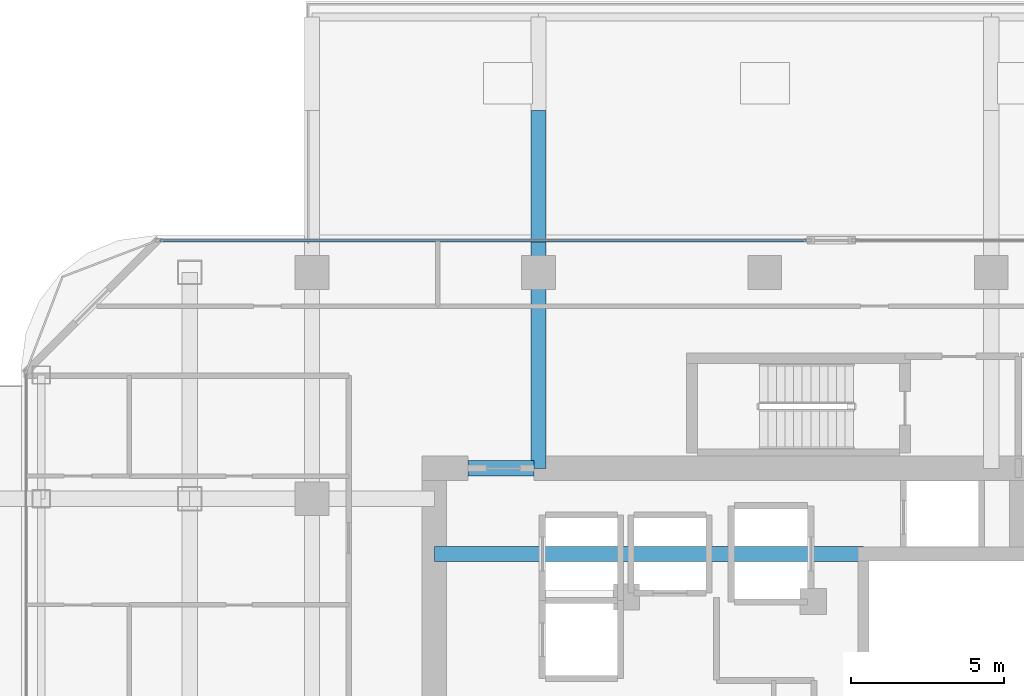
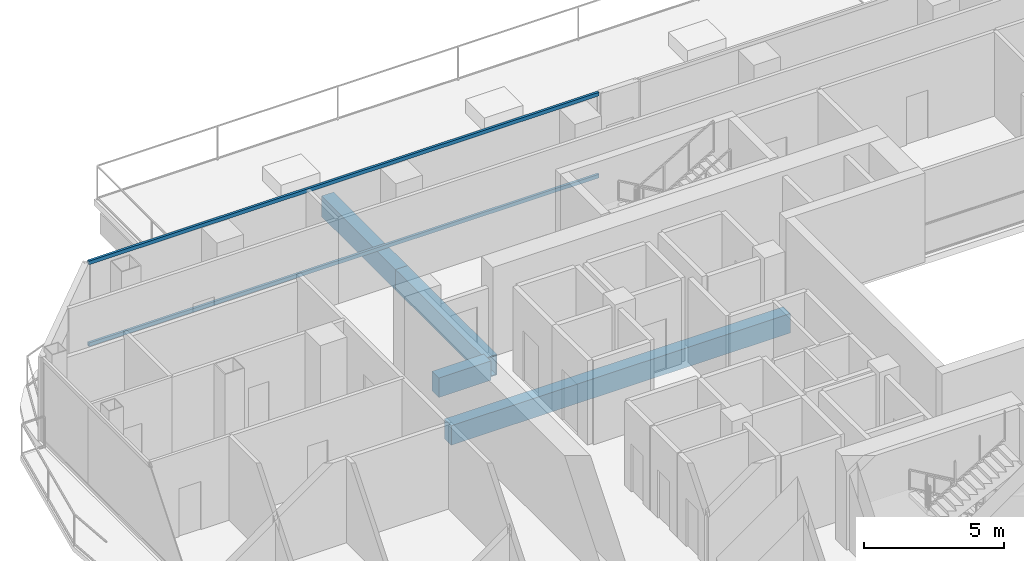
# One storey, part 12 of 24: 4 beams, 2 members, 1 element without a shape of its own.
"""IFC4 building model written with IfcOpenShell, lengths in metres."""

from ifc_helpers import new_model, si_unit, direction, frame, origin, origin_2d, place, context, subcontext, project, spatial, rectangle, hollow_rectangle, extrude, material, layer, layer_set, material_profile, profile_set, type_object, element, aggregate, save


model = new_model("IFC4")

# Units and contexts
model_context = context("Model", 3, precision=1e-05, world=origin(), true_north=direction((0.0, 1.0)))
body_context = subcontext(model_context, "Body", "Model", "MODEL_VIEW")
ifc_project = project(units=[si_unit("LENGTHUNIT", "METRE"), si_unit("AREAUNIT", "SQUARE_METRE"), si_unit("VOLUMEUNIT", "CUBIC_METRE"), si_unit("PLANEANGLEUNIT", "RADIAN"), si_unit("MASSUNIT", "GRAM", prefix="KILO")], contexts=[model_context])

# Site, building, storey
site_placement = place(None, origin())
site = spatial("IfcSite", under=ifc_project, at=site_placement, CompositionType="ELEMENT")
building_placement = place(site_placement, origin())
building = spatial("IfcBuilding", under=site, at=building_placement, Name="Khorvyn Point Tower", CompositionType="ELEMENT")
storey_placement = place(building_placement, frame((0.0, 0.0, 191.39990234375)))
storey = spatial("IfcBuildingStorey", under=building, at=storey_placement, Name="L47", CompositionType="ELEMENT", Elevation=191.39990234375)

# Curtain wall, members
ifc_material_1 = material(Name="Anodised aluminium 6063-T6 and laminated Low-E glass", Category="aluminium")
ifc_layer = layer(ifc_material_1, 0.18994140625)
ifc_layer_set = layer_set([ifc_layer], Name="Stick-Built Acoustic Curtain Wall CW-SYS-03")
curtain_wall_type = type_object("IfcCurtainWallType", Name="Stick-Built Acoustic Curtain Wall CW-SYS-03", PredefinedType="NOTDEFINED", material=ifc_layer_set)
curtain_wall_placement = place(storey_placement, origin())
curtain_wall = element("IfcCurtainWall", 1, at=curtain_wall_placement, inside=storey, type_object=curtain_wall_type, Name="Curtain Wall", PredefinedType="NOTDEFINED")
ifc_material_2 = material(Name="Anodised aluminium 6063-T6", Category="aluminium")
ifc_material_profile_1 = material_profile(ifc_material_2, hollow_rectangle(XDim=0.10009765625, YDim=0.159912109375, WallThickness=0.00439453125, at=origin_2d()))
ifc_profile_set_1 = profile_set([ifc_material_profile_1], Name="Anodised aluminium 6063-T6 ALU-TRN-100x160")
member_type = type_object("IfcMemberType", Name="Anodised Aluminium 6063-T6 Transom ALU-TRN-100x160", PredefinedType="USERDEFINED", material=ifc_profile_set_1)
member_1_placement = place(storey_placement, frame((-19.75, 15.85009765625, 0.050048828125), z_axis=(1.0, 0.0, 0.0), x_axis=(0.0, 1.0, 0.0)))
member_1 = element("IfcMember", 2, at=member_1_placement, type_object=member_type, Name="Transom", ObjectType="TRANSOM", PredefinedType="USERDEFINED", context=body_context, shape_type="SweptSolid", body=[
    extrude(hollow_rectangle(XDim=0.10009765625, YDim=0.159912109375, WallThickness=0.00439453125, at=origin_2d()), origin(), (0.0, 0.0, 1.0), 21.10107421875),
])
member_2_placement = place(storey_placement, frame((-19.75, 15.85009765625, 3.630126953125), z_axis=(1.0, 0.0, 0.0), x_axis=(0.0, 1.0, 0.0)))
member_2 = element("IfcMember", 3, at=member_2_placement, type_object=member_type, Name="Transom", ObjectType="TRANSOM", PredefinedType="USERDEFINED", context=body_context, shape_type="SweptSolid", body=[
    extrude(hollow_rectangle(XDim=0.10009765625, YDim=0.159912109375, WallThickness=0.00439453125, at=origin_2d()), origin(), (0.0, 0.0, 1.0), 21.10107421875),
])
aggregate(curtain_wall, [member_1, member_2])

# Beams
ifc_material_3 = material(Name="Concrete C45/55", Category="concrete")
ifc_material_profile_2 = material_profile(ifc_material_3, rectangle(XDim=0.5, YDim=0.85009765625, at=origin_2d()))
ifc_profile_set_2 = profile_set([ifc_material_profile_2], Name="Concrete C45/55 RC500x850")
beam_type_1 = type_object("IfcBeamType", Name="Concrete C45/55 Beam RC500x850", PredefinedType="BEAM", material=ifc_profile_set_2)
beam_1_placement = place(storey_placement, frame((-10.800048828125, 5.60009765625, -0.704833984375), z_axis=(1.0, 0.0, 0.0), x_axis=(0.0, 1.0, 0.0)))
element("IfcBeam", 4, at=beam_1_placement, inside=storey, type_object=beam_type_1, Name="L47 Core Internal Tie Girder N", PredefinedType="BEAM", context=body_context, shape_type="SweptSolid", body=[
    extrude(rectangle(XDim=0.5, YDim=0.85009765625, at=origin_2d()), origin(), (0.0, 0.0, 1.0), 14.02001953125),
])
beam_2_placement = place(storey_placement, frame((-9.699951171875, 8.39990234375, -0.704833984375), z_axis=(1.0, 0.0, 0.0), x_axis=(0.0, 1.0, 0.0)))
element("IfcBeam", 5, at=beam_2_placement, inside=storey, type_object=beam_type_1, Name="L47 Core Northwest Portal Coupling Beam", PredefinedType="BEAM", context=body_context, shape_type="SweptSolid", body=[
    extrude(rectangle(XDim=0.5, YDim=0.85009765625, at=origin_2d()), origin(), (0.0, 0.0, 1.0), 2.14990234375),
])
ifc_material_4 = material(Name="Steel S450", Category="steel")
ifc_material_profile_3 = material_profile(ifc_material_4, hollow_rectangle(XDim=0.5, YDim=0.89990234375, WallThickness=0.0400390625, at=origin_2d()))
ifc_profile_set_3 = profile_set([ifc_material_profile_3], Name="Steel S450 BOX900x500x40")
beam_type_2 = type_object("IfcBeamType", Name="Steel S450 Beam BOX900x500x40", PredefinedType="BEAM", material=ifc_profile_set_3)
beam_3_placement = place(storey_placement, frame((-7.39990234375, 8.39990234375, -0.72998046875), z_axis=(0.0, 1.0, 0.0), x_axis=(-1.0, 0.0, 0.0)))
element("IfcBeam", 6, at=beam_3_placement, inside=storey, type_object=beam_type_2, Name="Beam", PredefinedType="BEAM", context=body_context, shape_type="SweptSolid", body=[
    extrude(hollow_rectangle(XDim=0.5, YDim=0.89990234375, WallThickness=0.0400390625, at=origin_2d()), origin(), (0.0, 0.0, 1.0), 6.400146484375),
])
beam_4_placement = place(storey_placement, frame((-7.39990234375, 14.800048828125, -0.72998046875), z_axis=(0.0, 1.0, 0.0), x_axis=(-1.0, 0.0, 0.0)))
element("IfcBeam", 7, at=beam_4_placement, inside=storey, type_object=beam_type_2, Name="Beam", PredefinedType="BEAM", context=body_context, shape_type="SweptSolid", body=[
    extrude(hollow_rectangle(XDim=0.5, YDim=0.89990234375, WallThickness=0.0400390625, at=origin_2d()), origin(), (0.0, 0.0, 1.0), 5.300048828125),
])

save(model, "model.ifc")
